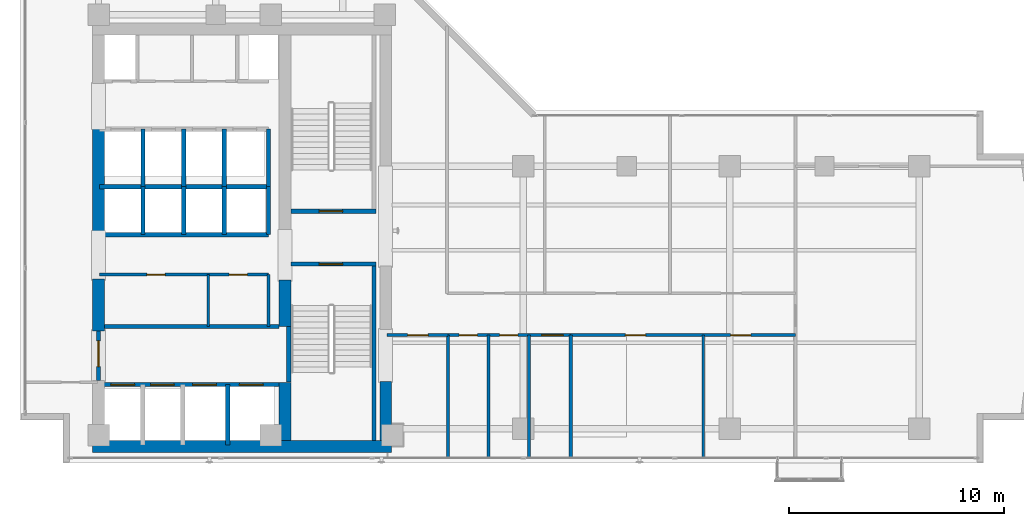
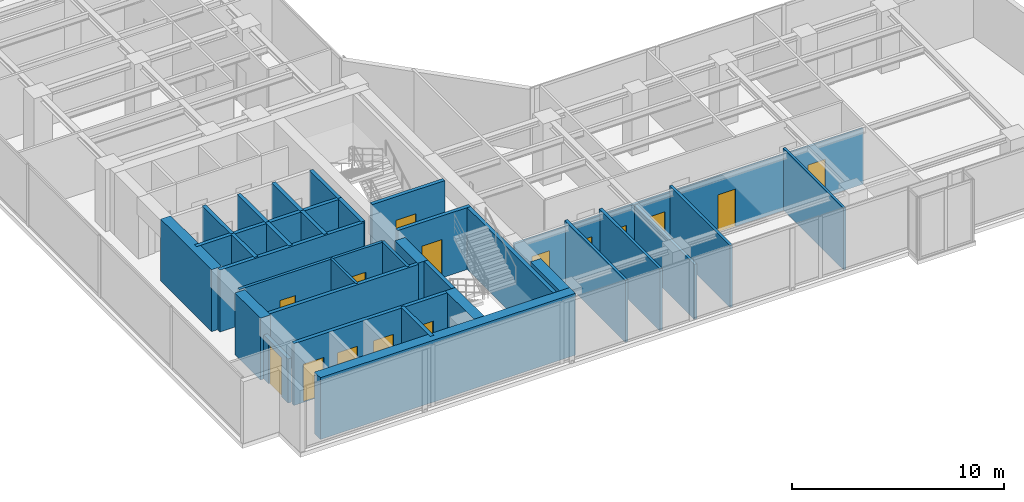
# One storey, part 16 of 23: 35 walls, 15 doors, 15 openings.
"""IFC4 building model written with IfcOpenShell, lengths in metres."""

import ifcopenshell
import ifcopenshell.guid

model = None  # the IFC model being written
_history = None  # IfcOwnerHistory: only IFC2X3 demands one
_inside = {}  # id of a spatial element -> (the spatial element, [elements in it])
_under = {}  # id of a project, library or spatial element -> (it, [spatial elements below it])
_declared = {}  # id of a project -> (the project, [libraries it declares])
_typed = {}  # id of a type object -> (the type object, [elements of that type])
_made_of = {}  # id of a material, layer set ... -> (it, [elements and type objects made of it])


def new_model(schema):
    """Start an empty IFC model of exactly this schema.

    Asked for "IFC4X3", IfcOpenShell would pick the latest addendum, in which some entities
    have other attributes; the version numbers below select the first issue.
    IFC2X3 requires an IfcOwnerHistory on every rooted entity: one is made here for all.
    """
    global model, _history
    if schema == "IFC4X3":
        model = ifcopenshell.file(schema_version=(4, 3, 0, 0))
    else:
        model = ifcopenshell.file(schema=schema)
    _inside.clear()
    _under.clear()
    _declared.clear()
    _typed.clear()
    _made_of.clear()
    _history = None
    if model.schema == "IFC2X3":
        org = make("IfcOrganization", Name="unknown")
        user = make(
            "IfcPersonAndOrganization",
            ThePerson=make("IfcPerson", FamilyName="unknown"),
            TheOrganization=org,
        )
        app = make(
            "IfcApplication",
            ApplicationDeveloper=org,
            Version="unknown",
            ApplicationFullName="unknown",
            ApplicationIdentifier="unknown",
        )
        _history = make(
            "IfcOwnerHistory",
            OwningUser=user,
            OwningApplication=app,
            ChangeAction="ADDED",
            CreationDate=0,
        )
    return model


def make(cls, **values):
    """One entity of the class cls with the attributes given. An attribute that is None is left unset."""
    return model.create_entity(
        cls, **{name: value for name, value in values.items() if value is not None}
    )


def rooted(cls, **values):
    """An entity with a GlobalId (a new one), such as an element, a storey or a relation."""
    return make(cls, GlobalId=ifcopenshell.guid.new(), OwnerHistory=_history, **values)


def si_unit(unit_type, name, prefix=None):
    """IfcSIUnit, for example si_unit("LENGTHUNIT", "METRE", prefix="MILLI")."""
    return make("IfcSIUnit", UnitType=unit_type, Prefix=prefix, Name=name)


def assignment(units):
    """IfcUnitAssignment: the units of a project."""
    return None if units is None else make("IfcUnitAssignment", Units=units)


def point(xyz):
    """IfcCartesianPoint."""
    return None if xyz is None else make("IfcCartesianPoint", Coordinates=xyz)


def direction(xyz):
    """IfcDirection."""
    return None if xyz is None else make("IfcDirection", DirectionRatios=xyz)


def frame(location, z_axis=None, x_axis=None):
    """IfcAxis2Placement3D, a coordinate frame: its origin and axes. An axis left out is left unset."""
    return make(
        "IfcAxis2Placement3D",
        Location=point(location),
        Axis=direction(z_axis),
        RefDirection=direction(x_axis),
    )


def frame_2d(location, x_axis=None):
    """IfcAxis2Placement2D, a coordinate frame in the plane: its origin and x axis."""
    return make(
        "IfcAxis2Placement2D", Location=point(location), RefDirection=direction(x_axis)
    )


def origin():
    """The frame at (0, 0, 0) with its axes left unset."""
    return frame((0.0, 0.0, 0.0))


def place(relative_to, where):
    """IfcLocalPlacement: puts the frame where relative to a parent placement (None: the world)."""
    return make(
        "IfcLocalPlacement", PlacementRelTo=relative_to, RelativePlacement=where
    )


def context(
    kind, dimensions, precision=None, world=None, true_north=None, identifier=None
):
    """IfcGeometricRepresentationContext, for example the 3D "Model" context."""
    return make(
        "IfcGeometricRepresentationContext",
        ContextIdentifier=identifier,
        ContextType=kind,
        CoordinateSpaceDimension=dimensions,
        Precision=precision,
        WorldCoordinateSystem=world,
        TrueNorth=true_north,
    )


def subcontext(parent, identifier, kind, view, scale=None):
    """IfcGeometricRepresentationSubContext, for example "Body" below "Model"."""
    return make(
        "IfcGeometricRepresentationSubContext",
        ContextIdentifier=identifier,
        ContextType=kind,
        ParentContext=parent,
        TargetScale=scale,
        TargetView=view,
    )


def project(units=None, contexts=None):
    """IfcProject with its units and contexts."""
    return rooted(
        "IfcProject",
        Name="project",
        RepresentationContexts=contexts,
        UnitsInContext=assignment(units),
    )


def spatial(cls, under=None, at=None, **own):
    """A site, building, storey or space (cls), placed at a placement, below another one or the project."""
    s = rooted(cls, ObjectPlacement=at, **own)
    if under is not None:
        _under.setdefault(under.id(), (under, []))[1].append(s)
    return s


def profile(cls, at=None, kind="AREA", **sizes):
    """A parametric profile (cls). Its sizes go by their IFC names, for example OverallWidth=200.0."""
    return make(cls, ProfileType=kind, Position=at, **sizes)


def rectangle(**sizes):
    """IfcRectangleProfileDef."""
    return profile("IfcRectangleProfileDef", **sizes)


def extrude(swept, where, along, depth):
    """IfcExtrudedAreaSolid: the profile swept, set in the frame where, extruded along a direction by depth."""
    return make(
        "IfcExtrudedAreaSolid",
        SweptArea=swept,
        Position=where,
        ExtrudedDirection=direction(along),
        Depth=depth,
    )


def shape(context_of_items, identifier, shape_type, items):
    """IfcShapeRepresentation: the items that make up one representation, for example the "Body"."""
    return make(
        "IfcShapeRepresentation",
        ContextOfItems=context_of_items,
        RepresentationIdentifier=identifier,
        RepresentationType=shape_type,
        Items=items,
    )


def material(Name=None, Category=None):
    """IfcMaterial."""
    return make("IfcMaterial", Name=Name, Category=Category)


def layer(
    of_material, thickness, ventilated=None, Name=None, Category=None, Priority=None
):
    """IfcMaterialLayer: one layer of a wall or slab, of a material (None: an air gap)."""
    return make(
        "IfcMaterialLayer",
        Material=of_material,
        LayerThickness=thickness,
        IsVentilated=ventilated,
        Name=Name,
        Category=Category,
        Priority=Priority,
    )


def layer_set(layers, Name=None):
    """IfcMaterialLayerSet."""
    return make("IfcMaterialLayerSet", MaterialLayers=layers, LayerSetName=Name)


def made_of(thing, what):
    """Note that an element or type object is made of a material, layer set ...; save() writes the relation."""
    if what is not None:
        _made_of.setdefault(what.id(), (what, []))[1].append(thing)
    return thing


def type_object(cls, material=None, **own):
    """A type object (cls), such as IfcWallType, which elements share."""
    return made_of(rooted(cls, **own), material)


def element(
    cls,
    number,
    at=None,
    inside=None,
    cuts=None,
    type_object=None,
    material=None,
    context=None,
    identifier="Body",
    shape_type=None,
    held_by="IfcProductDefinitionShape",
    body=None,
    shapes=None,
    **own,
):
    """One element of the class cls, such as IfcWall. Its Tag is "e" and its number.

    at: its placement. inside: the storey or other place that contains it. cuts: it is an
    opening in that element (IfcRelVoidsElement). A single representation is given by context,
    identifier, shape_type and body (its items); several are given by shapes. held_by: the class
    of the entity that holds the representations. save() writes the other relations.
    """
    e = rooted(cls, Tag="e%d" % number, ObjectPlacement=at, **own)
    if body is not None:
        shapes = [shape(context, identifier, shape_type, body)]
    if shapes is not None:
        e.Representation = make(held_by, Representations=shapes)
    if inside is not None:
        _inside.setdefault(inside.id(), (inside, []))[1].append(e)
    if cuts is not None:
        rooted(
            "IfcRelVoidsElement", RelatingBuildingElement=cuts, RelatedOpeningElement=e
        )
    if type_object is not None:
        _typed.setdefault(type_object.id(), (type_object, []))[1].append(e)
    return made_of(e, material)


def fill(opening, filler):
    """IfcRelFillsElement: the door or window that sits in an opening."""
    return rooted(
        "IfcRelFillsElement",
        RelatingOpeningElement=opening,
        RelatedBuildingElement=filler,
    )


def aggregate(whole, parts):
    """IfcRelAggregates: a whole, such as a stair, and the parts it consists of."""
    return rooted("IfcRelAggregates", RelatingObject=whole, RelatedObjects=parts)


def save(model, path):
    """Write the relations noted so far, then the file.

    IfcRelAggregates (storeys below a building ...), IfcRelContainedInSpatialStructure (elements
    in a storey), IfcRelDefinesByType, IfcRelAssociatesMaterial and IfcRelDeclares: one each for
    every whole, place, type object, material and project.
    """
    for whole, parts in _under.values():
        aggregate(whole, parts)
    for where, things in _inside.values():
        rooted(
            "IfcRelContainedInSpatialStructure",
            RelatedElements=things,
            RelatingStructure=where,
        )
    for kind, things in _typed.values():
        rooted("IfcRelDefinesByType", RelatedObjects=things, RelatingType=kind)
    for what, things in _made_of.values():
        rooted("IfcRelAssociatesMaterial", RelatedObjects=things, RelatingMaterial=what)
    for by, libraries in _declared.values():
        rooted("IfcRelDeclares", RelatingContext=by, RelatedDefinitions=libraries)
    model.write(path)


model = new_model("IFC4")

# Units and contexts
model_context = context("Model", 3, precision=1e-05, world=origin(), true_north=direction((0.0, 1.0)))
body_context = subcontext(model_context, "Body", "Model", "MODEL_VIEW")
ifc_project = project(units=[si_unit("LENGTHUNIT", "METRE"), si_unit("AREAUNIT", "SQUARE_METRE"), si_unit("VOLUMEUNIT", "CUBIC_METRE"), si_unit("PLANEANGLEUNIT", "RADIAN"), si_unit("MASSUNIT", "GRAM", prefix="KILO")], contexts=[model_context])

# Site, building, storey
site_placement = place(None, origin())
site = spatial("IfcSite", under=ifc_project, at=site_placement, CompositionType="ELEMENT")
building_placement = place(site_placement, origin())
building = spatial("IfcBuilding", under=site, at=building_placement, Name="Kolvaren Waterfront Exchange", CompositionType="ELEMENT")
storey_placement = place(building_placement, frame((0.0, 0.0, 227.300048828125)))
storey = spatial("IfcBuildingStorey", under=building, at=storey_placement, Name="L58", CompositionType="ELEMENT", Elevation=227.300048828125)

# Wall, opening, door
ifc_material_1 = material(Name="Precast concrete C40/50", Category="concrete")
ifc_layer_1 = layer(ifc_material_1, 0.199951171875, Name="Precast concrete C40/50")
ifc_layer_set_1 = layer_set([ifc_layer_1], Name="Precast concrete C40/50")
wall_type_1 = type_object("IfcWallType", Name="ARC-FIRE-200", PredefinedType="PARTITIONING", material=ifc_layer_set_1)
wall_1_placement = place(storey_placement, frame((16.39990234375, 12.85009765625, 0.0), z_axis=(0.0, 0.0, 1.0), x_axis=(1.0, 0.0, 0.0)))
wall_1 = element("IfcWall", 1, at=wall_1_placement, inside=storey, type_object=wall_type_1, Name="L58 interior wall PW-L58-ST1-THROAT-S", PredefinedType="PARTITIONING", context=body_context, shape_type="SweptSolid", body=[
    extrude(rectangle(XDim=3.960205078125, YDim=0.199951171875, at=frame_2d((1.97998046875, 0.0))), origin(), (0.0, 0.0, 1.0), 3.56005859375),
])
opening_1_placement = place(wall_1_placement, frame((1.3037109375, 0.0, 0.0)))
opening_1 = element("IfcOpeningElement", 2, at=opening_1_placement, cuts=wall_1, Name="Opening FD2", PredefinedType="OPENING", context=body_context, shape_type="SweptSolid", body=[
    extrude(rectangle(XDim=1.10009765625, YDim=2.199951171875, at=frame_2d((0.550048828125, 1.10009765625))), frame((0.0, 0.10986328125, 0.0), z_axis=(0.0, -1.0, 0.0), x_axis=(1.0, 0.0, 0.0)), (0.0, 0.0, 1.0), 0.219970703125),
])
ifc_material_2 = material(Name="Pressed steel smoke-seal fire door", Category="steel")
door_type_1 = type_object("IfcDoorType", Name="ARC-FD-1100", OperationType="NOTDEFINED", PredefinedType="DOOR", material=ifc_material_2)
door_1_placement = place(opening_1_placement, frame((1.10009765625, 0.0, 0.0), z_axis=(0.0, 0.0, 1.0), x_axis=(-1.0, 0.0, 0.0)))
door_1 = element("IfcDoor", 3, at=door_1_placement, inside=storey, type_object=door_type_1, Name="L58 door DR-L58-ST1-IN (FD2)", OperationType="SINGLE_SWING_RIGHT", OverallHeight=2.199951171875, OverallWidth=1.10009765625, PredefinedType="DOOR", context=body_context, shape_type="SweptSolid", body=[
    extrude(rectangle(XDim=1.10009765625, YDim=2.199951171875, at=frame_2d((0.550048828125, 1.10009765625))), frame((0.0, 0.02490234375, 0.0), z_axis=(0.0, -1.0, 0.0), x_axis=(1.0, 0.0, 0.0)), (0.0, 0.0, 1.0), 0.050048828125),
])
fill(opening_1, door_1)

wall_2_placement = place(storey_placement, frame((16.409912109375, 15.300048828125, 0.0), z_axis=(0.0, 0.0, 1.0), x_axis=(1.0, 0.0, 0.0)))
wall_2 = element("IfcWall", 4, at=wall_2_placement, inside=storey, type_object=wall_type_1, Name="L58 interior wall PW-L58-ST2-THROAT-N", PredefinedType="PARTITIONING", context=body_context, shape_type="SweptSolid", body=[
    extrude(rectangle(XDim=3.9501953125, YDim=0.199951171875, at=frame_2d((1.97509765625, 0.0))), origin(), (0.0, 0.0, 1.0), 3.56005859375),
])
opening_2_placement = place(wall_2_placement, frame((1.293701171875, 0.0, 0.0)))
opening_2 = element("IfcOpeningElement", 5, at=opening_2_placement, cuts=wall_2, Name="Opening FD2", PredefinedType="OPENING", context=body_context, shape_type="SweptSolid", body=[
    extrude(rectangle(XDim=1.10009765625, YDim=2.199951171875, at=frame_2d((0.550048828125, 1.10009765625))), frame((0.0, 0.10986328125, 0.0), z_axis=(0.0, -1.0, 0.0), x_axis=(1.0, 0.0, 0.0)), (0.0, 0.0, 1.0), 0.219970703125),
])
door_2_placement = place(opening_2_placement, origin())
door_2 = element("IfcDoor", 6, at=door_2_placement, inside=storey, type_object=door_type_1, Name="L58 door DR-L58-ST2-IN (FD2)", OperationType="SINGLE_SWING_LEFT", OverallHeight=2.199951171875, OverallWidth=1.10009765625, PredefinedType="DOOR", context=body_context, shape_type="SweptSolid", body=[
    extrude(rectangle(XDim=1.10009765625, YDim=2.199951171875, at=frame_2d((0.550048828125, 1.10009765625))), frame((0.0, 0.02490234375, 0.0), z_axis=(0.0, -1.0, 0.0), x_axis=(1.0, 0.0, 0.0)), (0.0, 0.0, 1.0), 0.050048828125),
])
fill(opening_2, door_2)

# Wall
wall_3_placement = place(storey_placement, frame((7.5, 9.949951171875, 0.0), z_axis=(0.0, 0.0, 1.0), x_axis=(1.0, 0.0, 0.0)))
element("IfcWall", 7, at=wall_3_placement, inside=storey, type_object=wall_type_1, Name="L58 interior wall PW-L58-FF-N", PredefinedType="PARTITIONING", context=body_context, shape_type="SweptSolid", body=[
    extrude(rectangle(XDim=8.35009765625, YDim=0.199951171875, at=frame_2d((4.175048828125, 0.0))), origin(), (0.0, 0.0, 1.0), 3.56005859375),
])

# Wall, opening, door
wall_4_placement = place(storey_placement, frame((7.449951171875, 7.449951171875, 0.0), z_axis=(0.0, 0.0, 1.0), x_axis=(0.0, 1.0, 0.0)))
wall_4 = element("IfcWall", 8, at=wall_4_placement, inside=storey, type_object=wall_type_1, Name="L58 interior wall PW-L58-FF-W-DOOR", PredefinedType="PARTITIONING", context=body_context, shape_type="SweptSolid", body=[
    extrude(rectangle(XDim=2.300048828125, YDim=0.199951171875, at=frame_2d((1.14990234375, 0.0))), origin(), (0.0, 0.0, 1.0), 2.5400390625),
])
opening_3_placement = place(wall_4_placement, frame((0.63330078125, 0.0, 0.0)))
opening_3 = element("IfcOpeningElement", 9, at=opening_3_placement, cuts=wall_4, Name="Opening FD3", PredefinedType="OPENING", context=body_context, shape_type="SweptSolid", body=[
    extrude(rectangle(XDim=1.199951171875, YDim=2.25, at=frame_2d((0.60009765625, 1.125))), frame((0.0, 0.10986328125, 0.0), z_axis=(0.0, -1.0, 0.0), x_axis=(1.0, 0.0, 0.0)), (0.0, 0.0, 1.0), 0.219970703125),
])
ifc_material_3 = material(Name="Pressed steel fire door", Category="steel")
door_type_2 = type_object("IfcDoorType", Name="ARC-FD-1200", OperationType="NOTDEFINED", PredefinedType="DOOR", material=ifc_material_3)
door_3_placement = place(opening_3_placement, frame((1.199951171875, 0.0, 0.0), z_axis=(0.0, 0.0, 1.0), x_axis=(-1.0, 0.0, 0.0)))
door_3 = element("IfcDoor", 10, at=door_3_placement, inside=storey, type_object=door_type_2, Name="L58 door DR-L58-FF-OUT (FD3)", OperationType="SINGLE_SWING_RIGHT", OverallHeight=2.25, OverallWidth=1.199951171875, PredefinedType="DOOR", context=body_context, shape_type="SweptSolid", body=[
    extrude(rectangle(XDim=1.199951171875, YDim=2.25, at=frame_2d((0.60009765625, 1.125))), frame((0.0, 0.02490234375, 0.0), z_axis=(0.0, -1.0, 0.0), x_axis=(1.0, 0.0, 0.0)), (0.0, 0.0, 1.0), 0.050048828125),
])
fill(opening_3, door_3)

# Wall
ifc_material_4 = material(Name="Acoustic gypsum steel stud", Category="steel")
ifc_layer_2 = layer(ifc_material_4, 0.125, Name="Acoustic gypsum steel stud")
ifc_layer_set_2 = layer_set([ifc_layer_2], Name="Acoustic gypsum steel stud")
wall_type_2 = type_object("IfcWallType", Name="ARC-PART-125", PredefinedType="PARTITIONING", material=ifc_layer_set_2)
wall_5_placement = place(storey_placement, frame((12.550048828125, 9.949951171875, 0.0), z_axis=(0.0, 0.0, 1.0), x_axis=(0.0, 1.0, 0.0)))
element("IfcWall", 11, at=wall_5_placement, inside=storey, type_object=wall_type_2, Name="L58 interior wall PW-L58-REC-PL-MID", PredefinedType="PARTITIONING", context=body_context, shape_type="SweptSolid", body=[
    extrude(rectangle(XDim=2.41015625, YDim=0.125, at=frame_2d((1.205078125, 0.0))), origin(), (0.0, 0.0, 1.0), 3.56005859375),
])

# Wall, opening, door
wall_6_placement = place(storey_placement, frame((20.85009765625, 9.550048828125, 0.0), z_axis=(0.0, 0.0, 1.0), x_axis=(1.0, 0.0, 0.0)))
wall_6 = element("IfcWall", 12, at=wall_6_placement, inside=storey, type_object=wall_type_2, Name="L58 interior wall PW-L58-SWST3-N", PredefinedType="PARTITIONING", context=body_context, shape_type="SweptSolid", body=[
    extrude(rectangle(XDim=2.849853515625, YDim=0.125, at=frame_2d((1.4248046875, 0.0))), origin(), (0.0, 0.0, 1.0), 3.199951171875),
])
opening_4_placement = place(wall_6_placement, frame((0.971435546875, 0.0, 0.0)))
opening_4 = element("IfcOpeningElement", 13, at=opening_4_placement, cuts=wall_6, Name="Opening D02", PredefinedType="OPENING", context=body_context, shape_type="SweptSolid", body=[
    extrude(rectangle(XDim=0.949951171875, YDim=2.14990234375, at=frame_2d((0.47509765625, 1.074951171875))), frame((0.0, 0.072509765625, 0.0), z_axis=(0.0, -1.0, 0.0), x_axis=(1.0, 0.0, 0.0)), (0.0, 0.0, 1.0), 0.14501953125),
])
ifc_material_5 = material(Name="Oak veneer acoustic timber", Category="wood")
door_type_3 = type_object("IfcDoorType", Name="ARC-DR-950", OperationType="NOTDEFINED", PredefinedType="DOOR", material=ifc_material_5)
door_4_placement = place(opening_4_placement, origin())
door_4 = element("IfcDoor", 14, at=door_4_placement, inside=storey, type_object=door_type_3, Name="L58 door DR-L58-SWST3-D (D02)", OperationType="SINGLE_SWING_RIGHT", OverallHeight=2.14990234375, OverallWidth=0.949951171875, PredefinedType="DOOR", context=body_context, shape_type="SweptSolid", body=[
    extrude(rectangle(XDim=0.949951171875, YDim=2.14990234375, at=frame_2d((0.47509765625, 1.074951171875))), frame((0.0, 0.02490234375, 0.0), z_axis=(0.0, -1.0, 0.0), x_axis=(1.0, 0.0, 0.0)), (0.0, 0.0, 1.0), 0.050048828125),
])
fill(opening_4, door_4)

# Wall, openings, doors
wall_7_placement = place(storey_placement, frame((29.39990234375, 9.550048828125, 0.0), z_axis=(0.0, 0.0, 1.0), x_axis=(1.0, 0.0, 0.0)))
wall_7 = element("IfcWall", 15, at=wall_7_placement, inside=storey, type_object=wall_type_2, Name="L58 interior wall PW-L58-ES-CORR", PredefinedType="PARTITIONING", context=body_context, shape_type="SweptSolid", body=[
    extrude(rectangle(XDim=10.4501953125, YDim=0.125, at=frame_2d((5.22509765625, 0.0))), origin(), (0.0, 0.0, 1.0), 3.199951171875),
])
opening_5_placement = place(wall_7_placement, frame((2.538818359375, 0.0, 0.0)))
opening_5 = element("IfcOpeningElement", 16, at=opening_5_placement, cuts=wall_7, Name="Opening D02", PredefinedType="OPENING", context=body_context, shape_type="SweptSolid", body=[
    extrude(rectangle(XDim=0.949951171875, YDim=2.14990234375, at=frame_2d((0.47509765625, 1.074951171875))), frame((0.0, 0.072509765625, 0.0), z_axis=(0.0, -1.0, 0.0), x_axis=(1.0, 0.0, 0.0)), (0.0, 0.0, 1.0), 0.14501953125),
])
opening_6_placement = place(wall_7_placement, frame((7.431884765625, 0.0, 0.0)))
opening_6 = element("IfcOpeningElement", 17, at=opening_6_placement, cuts=wall_7, Name="Opening D02", PredefinedType="OPENING", context=body_context, shape_type="SweptSolid", body=[
    extrude(rectangle(XDim=0.949951171875, YDim=2.14990234375, at=frame_2d((0.47509765625, 1.074951171875))), frame((0.0, 0.072509765625, 0.0), z_axis=(0.0, -1.0, 0.0), x_axis=(1.0, 0.0, 0.0)), (0.0, 0.0, 1.0), 0.14501953125),
])
door_5_placement = place(opening_5_placement, origin())
door_5 = element("IfcDoor", 18, at=door_5_placement, inside=storey, type_object=door_type_3, Name="L58 door DR-L58-ES-D-1 (D02)", OperationType="SINGLE_SWING_LEFT", OverallHeight=2.14990234375, OverallWidth=0.949951171875, PredefinedType="DOOR", context=body_context, shape_type="SweptSolid", body=[
    extrude(rectangle(XDim=0.949951171875, YDim=2.14990234375, at=frame_2d((0.47509765625, 1.074951171875))), frame((0.0, 0.02490234375, 0.0), z_axis=(0.0, -1.0, 0.0), x_axis=(1.0, 0.0, 0.0)), (0.0, 0.0, 1.0), 0.050048828125),
])
fill(opening_5, door_5)
door_6_placement = place(opening_6_placement, origin())
door_6 = element("IfcDoor", 19, at=door_6_placement, inside=storey, type_object=door_type_3, Name="L58 door DR-L58-ES-D-2 (D02)", OperationType="SINGLE_SWING_RIGHT", OverallHeight=2.14990234375, OverallWidth=0.949951171875, PredefinedType="DOOR", context=body_context, shape_type="SweptSolid", body=[
    extrude(rectangle(XDim=0.949951171875, YDim=2.14990234375, at=frame_2d((0.47509765625, 1.074951171875))), frame((0.0, 0.02490234375, 0.0), z_axis=(0.0, -1.0, 0.0), x_axis=(1.0, 0.0, 0.0)), (0.0, 0.0, 1.0), 0.050048828125),
])
fill(opening_6, door_6)

# Wall
wall_8_placement = place(storey_placement, frame((35.570068359375, 3.840087890625, 0.0), z_axis=(0.0, 0.0, 1.0), x_axis=(0.0, 1.0, 0.0)))
element("IfcWall", 20, at=wall_8_placement, inside=storey, type_object=wall_type_2, Name="L58 interior wall PW-L58-ES-DIV-1", PredefinedType="PARTITIONING", context=body_context, shape_type="SweptSolid", body=[
    extrude(rectangle(XDim=5.7099609375, YDim=0.125, at=frame_2d((2.85498046875, 0.0))), origin(), (0.0, 0.0, 1.0), 3.56005859375),
])

# Wall, openings, doors
ifc_material_6 = material(Name="Gypsum fireboard steel stud", Category="steel")
ifc_layer_3 = layer(ifc_material_6, 0.14990234375, Name="Gypsum fireboard steel stud")
ifc_layer_set_3 = layer_set([ifc_layer_3], Name="Gypsum fireboard steel stud")
wall_type_3 = type_object("IfcWallType", Name="ARC-PART-150", PredefinedType="PARTITIONING", material=ifc_layer_set_3)
wall_9_placement = place(storey_placement, frame((7.5, 12.360107421875, 0.0), z_axis=(0.0, 0.0, 1.0), x_axis=(1.0, 0.0, 0.0)))
wall_9 = element("IfcWall", 21, at=wall_9_placement, inside=storey, type_object=wall_type_3, Name="L58 interior wall PW-L58-REC-PL-N", PredefinedType="PARTITIONING", context=body_context, shape_type="SweptSolid", body=[
    extrude(rectangle(XDim=7.85009765625, YDim=0.14990234375, at=frame_2d((3.925048828125, 0.0))), origin(), (0.0, 0.0, 1.0), 3.56005859375),
])
opening_7_placement = place(wall_9_placement, frame((2.202392578125, 0.0, 0.0)))
opening_7 = element("IfcOpeningElement", 22, at=opening_7_placement, cuts=wall_9, Name="Opening D01", PredefinedType="OPENING", context=body_context, shape_type="SweptSolid", body=[
    extrude(rectangle(XDim=0.85009765625, YDim=2.14990234375, at=frame_2d((0.425048828125, 1.074951171875))), frame((0.0, 0.0849609375, 0.0), z_axis=(0.0, -1.0, 0.0), x_axis=(1.0, 0.0, 0.0)), (0.0, 0.0, 1.0), 0.169921875),
])
opening_8_placement = place(wall_9_placement, frame((6.02490234375, 0.0, 0.0)))
opening_8 = element("IfcOpeningElement", 23, at=opening_8_placement, cuts=wall_9, Name="Opening D01", PredefinedType="OPENING", context=body_context, shape_type="SweptSolid", body=[
    extrude(rectangle(XDim=0.85009765625, YDim=2.14990234375, at=frame_2d((0.425048828125, 1.074951171875))), frame((0.0, 0.0849609375, 0.0), z_axis=(0.0, -1.0, 0.0), x_axis=(1.0, 0.0, 0.0)), (0.0, 0.0, 1.0), 0.169921875),
])
ifc_material_7 = material(Name="Oak veneer timber leaf", Category="wood")
door_type_4 = type_object("IfcDoorType", Name="ARC-DR-900", OperationType="NOTDEFINED", PredefinedType="DOOR", material=ifc_material_7)
door_7_placement = place(opening_7_placement, origin())
door_7 = element("IfcDoor", 24, at=door_7_placement, inside=storey, type_object=door_type_4, Name="L58 door DR-L58-REC-PL-D1 (D01)", OperationType="SINGLE_SWING_LEFT", OverallHeight=2.14990234375, OverallWidth=0.85009765625, PredefinedType="DOOR", context=body_context, shape_type="SweptSolid", body=[
    extrude(rectangle(XDim=0.85009765625, YDim=2.14990234375, at=frame_2d((0.425048828125, 1.074951171875))), frame((0.0, 0.02490234375, 0.0), z_axis=(0.0, -1.0, 0.0), x_axis=(1.0, 0.0, 0.0)), (0.0, 0.0, 1.0), 0.050048828125),
])
fill(opening_7, door_7)
door_8_placement = place(opening_8_placement, origin())
door_8 = element("IfcDoor", 25, at=door_8_placement, inside=storey, type_object=door_type_4, Name="L58 door DR-L58-REC-PL-D2 (D01)", OperationType="SINGLE_SWING_RIGHT", OverallHeight=2.14990234375, OverallWidth=0.85009765625, PredefinedType="DOOR", context=body_context, shape_type="SweptSolid", body=[
    extrude(rectangle(XDim=0.85009765625, YDim=2.14990234375, at=frame_2d((0.425048828125, 1.074951171875))), frame((0.0, 0.02490234375, 0.0), z_axis=(0.0, -1.0, 0.0), x_axis=(1.0, 0.0, 0.0)), (0.0, 0.0, 1.0), 0.050048828125),
])
fill(opening_8, door_8)

# Walls
wall_10_placement = place(storey_placement, frame((15.35009765625, 9.949951171875, 0.0), z_axis=(0.0, 0.0, 1.0), x_axis=(0.0, 1.0, 0.0)))
element("IfcWall", 26, at=wall_10_placement, inside=storey, type_object=wall_type_3, Name="L58 interior wall PW-L58-REC-PL-E", PredefinedType="PARTITIONING", context=body_context, shape_type="SweptSolid", body=[
    extrude(rectangle(XDim=2.41015625, YDim=0.14990234375, at=frame_2d((1.205078125, 0.0))), origin(), (0.0, 0.0, 1.0), 3.56005859375),
])
ifc_material_8 = material(Name="Moisture-resistant gypsum stud")
ifc_layer_4 = layer(ifc_material_8, 0.14990234375, Name="Moisture-resistant gypsum stud")
ifc_layer_set_4 = layer_set([ifc_layer_4], Name="Moisture-resistant gypsum stud")
wall_type_4 = type_object("IfcWallType", Name="ARC-PLUMB-150", PredefinedType="PLUMBINGWALL", material=ifc_layer_set_4)
wall_11_placement = place(storey_placement, frame((23.699951171875, 3.840087890625, 0.0), z_axis=(0.0, 0.0, 1.0), x_axis=(0.0, 1.0, 0.0)))
element("IfcWall", 27, at=wall_11_placement, inside=storey, type_object=wall_type_4, Name="L58 interior wall PW-L58-WC-0", PredefinedType="PLUMBINGWALL", context=body_context, shape_type="SweptSolid", body=[
    extrude(rectangle(XDim=5.7099609375, YDim=0.14990234375, at=frame_2d((2.85498046875, 0.0))), origin(), (0.0, 0.0, 1.0), 3.56005859375),
])

# Wall, openings, doors
wall_12_placement = place(storey_placement, frame((23.699951171875, 9.550048828125, 0.0), z_axis=(0.0, 0.0, 1.0), x_axis=(1.0, 0.0, 0.0)))
wall_12 = element("IfcWall", 28, at=wall_12_placement, inside=storey, type_object=wall_type_4, Name="L58 interior wall PW-L58-WC-N", PredefinedType="PLUMBINGWALL", context=body_context, shape_type="SweptSolid", body=[
    extrude(rectangle(XDim=5.699951171875, YDim=0.14990234375, at=frame_2d((2.85009765625, 0.0))), origin(), (0.0, 0.0, 1.0), 3.199951171875),
])
opening_9_placement = place(wall_12_placement, frame((0.514892578125, 0.0, 0.0)))
opening_9 = element("IfcOpeningElement", 29, at=opening_9_placement, cuts=wall_12, Name="Opening D01", PredefinedType="OPENING", context=body_context, shape_type="SweptSolid", body=[
    extrude(rectangle(XDim=0.85009765625, YDim=2.14990234375, at=frame_2d((0.425048828125, 1.074951171875))), frame((0.0, 0.0849609375, 0.0), z_axis=(0.0, -1.0, 0.0), x_axis=(1.0, 0.0, 0.0)), (0.0, 0.0, 1.0), 0.169921875),
])
opening_10_placement = place(wall_12_placement, frame((2.39501953125, 0.0, 0.0)))
opening_10 = element("IfcOpeningElement", 30, at=opening_10_placement, cuts=wall_12, Name="Opening D01", PredefinedType="OPENING", context=body_context, shape_type="SweptSolid", body=[
    extrude(rectangle(XDim=0.85009765625, YDim=2.14990234375, at=frame_2d((0.425048828125, 1.074951171875))), frame((0.0, 0.0849609375, 0.0), z_axis=(0.0, -1.0, 0.0), x_axis=(1.0, 0.0, 0.0)), (0.0, 0.0, 1.0), 0.169921875),
])
opening_11_placement = place(wall_12_placement, frame((4.35009765625, 0.0, 0.0)))
opening_11 = element("IfcOpeningElement", 31, at=opening_11_placement, cuts=wall_12, Name="Opening D03", PredefinedType="OPENING", context=body_context, shape_type="SweptSolid", body=[
    extrude(rectangle(XDim=1.0, YDim=2.199951171875, at=frame_2d((0.5, 1.10009765625))), frame((0.0, 0.0849609375, 0.0), z_axis=(0.0, -1.0, 0.0), x_axis=(1.0, 0.0, 0.0)), (0.0, 0.0, 1.0), 0.169921875),
])
ifc_material_9 = material(Name="Oak veneer accessible timber", Category="wood")
door_type_5 = type_object("IfcDoorType", Name="ARC-DR-1000", OperationType="NOTDEFINED", PredefinedType="DOOR", material=ifc_material_9)
door_9_placement = place(opening_11_placement, origin())
door_9 = element("IfcDoor", 32, at=door_9_placement, inside=storey, type_object=door_type_5, Name="L58 door DR-L58-WCA-D (D03)", OperationType="SINGLE_SWING_RIGHT", OverallHeight=2.199951171875, OverallWidth=1.0, PredefinedType="DOOR", context=body_context, shape_type="SweptSolid", body=[
    extrude(rectangle(XDim=1.0, YDim=2.199951171875, at=frame_2d((0.5, 1.10009765625))), frame((0.0, 0.02490234375, 0.0), z_axis=(0.0, -1.0, 0.0), x_axis=(1.0, 0.0, 0.0)), (0.0, 0.0, 1.0), 0.050048828125),
])
fill(opening_11, door_9)
door_10_placement = place(opening_9_placement, origin())
door_10 = element("IfcDoor", 33, at=door_10_placement, inside=storey, type_object=door_type_4, Name="L58 door DR-L58-WCM-D (D01)", OperationType="SINGLE_SWING_RIGHT", OverallHeight=2.14990234375, OverallWidth=0.85009765625, PredefinedType="DOOR", context=body_context, shape_type="SweptSolid", body=[
    extrude(rectangle(XDim=0.85009765625, YDim=2.14990234375, at=frame_2d((0.425048828125, 1.074951171875))), frame((0.0, 0.02490234375, 0.0), z_axis=(0.0, -1.0, 0.0), x_axis=(1.0, 0.0, 0.0)), (0.0, 0.0, 1.0), 0.050048828125),
])
fill(opening_9, door_10)
door_11_placement = place(opening_10_placement, origin())
door_11 = element("IfcDoor", 34, at=door_11_placement, inside=storey, type_object=door_type_4, Name="L58 door DR-L58-WCF-D (D01)", OperationType="SINGLE_SWING_LEFT", OverallHeight=2.14990234375, OverallWidth=0.85009765625, PredefinedType="DOOR", context=body_context, shape_type="SweptSolid", body=[
    extrude(rectangle(XDim=0.85009765625, YDim=2.14990234375, at=frame_2d((0.425048828125, 1.074951171875))), frame((0.0, 0.02490234375, 0.0), z_axis=(0.0, -1.0, 0.0), x_axis=(1.0, 0.0, 0.0)), (0.0, 0.0, 1.0), 0.050048828125),
])
fill(opening_10, door_11)

# Walls
wall_13_placement = place(storey_placement, frame((25.580078125, 3.840087890625, 0.0), z_axis=(0.0, 0.0, 1.0), x_axis=(0.0, 1.0, 0.0)))
element("IfcWall", 35, at=wall_13_placement, inside=storey, type_object=wall_type_4, Name="L58 interior wall PW-L58-WC-1", PredefinedType="PLUMBINGWALL", context=body_context, shape_type="SweptSolid", body=[
    extrude(rectangle(XDim=5.7099609375, YDim=0.14990234375, at=frame_2d((2.85498046875, 0.0))), origin(), (0.0, 0.0, 1.0), 3.56005859375),
])
wall_14_placement = place(storey_placement, frame((27.4599609375, 3.840087890625, 0.0), z_axis=(0.0, 0.0, 1.0), x_axis=(0.0, 1.0, 0.0)))
element("IfcWall", 36, at=wall_14_placement, inside=storey, type_object=wall_type_4, Name="L58 interior wall PW-L58-WC-2", PredefinedType="PLUMBINGWALL", context=body_context, shape_type="SweptSolid", body=[
    extrude(rectangle(XDim=5.7099609375, YDim=0.14990234375, at=frame_2d((2.85498046875, 0.0))), origin(), (0.0, 0.0, 1.0), 3.159912109375),
])
wall_15_placement = place(storey_placement, frame((29.39990234375, 3.840087890625, 0.0), z_axis=(0.0, 0.0, 1.0), x_axis=(0.0, 1.0, 0.0)))
element("IfcWall", 37, at=wall_15_placement, inside=storey, type_object=wall_type_4, Name="L58 interior wall PW-L58-WC-3", PredefinedType="PLUMBINGWALL", context=body_context, shape_type="SweptSolid", body=[
    extrude(rectangle(XDim=5.7099609375, YDim=0.14990234375, at=frame_2d((2.85498046875, 0.0))), origin(), (0.0, 0.0, 1.0), 3.56005859375),
])
ifc_material_10 = material(Name="Concrete C40/50", Category="concrete")
ifc_layer_5 = layer(ifc_material_10, 0.199951171875, Name="Concrete C40/50")
ifc_layer_set_5 = layer_set([ifc_layer_5], Name="Concrete C40/50")
wall_type_5 = type_object("IfcWallType", Name="ARC-SHAFT-200", PredefinedType="PARTITIONING", material=ifc_layer_set_5)
wall_16_placement = place(storey_placement, frame((16.300048828125, 7.360107421875, 0.0), z_axis=(0.0, 0.0, 1.0), x_axis=(0.0, 1.0, 0.0)))
element("IfcWall", 38, at=wall_16_placement, inside=storey, type_object=wall_type_5, Name="L58 structural stairwell wall PW-L58-ST1-W", PredefinedType="SHEAR", context=body_context, shape_type="SweptSolid", body=[
    extrude(rectangle(XDim=2.579833984375, YDim=0.199951171875, at=frame_2d((1.2900390625, 0.0))), origin(), (0.0, 0.0, 1.0), 3.56005859375),
])
wall_17_placement = place(storey_placement, frame((20.260009765625, 4.659912109375, 0.0), z_axis=(0.0, 0.0, 1.0), x_axis=(0.0, 1.0, 0.0)))
element("IfcWall", 39, at=wall_17_placement, inside=storey, type_object=wall_type_5, Name="L58 structural stairwell wall PW-L58-ST1-E", PredefinedType="SHEAR", context=body_context, shape_type="SweptSolid", body=[
    extrude(rectangle(XDim=8.090087890625, YDim=0.199951171875, at=frame_2d((4.044921875, 0.0))), origin(), (0.0, 0.0, 1.0), 3.56005859375),
])

# Wall, openings, doors
wall_18_placement = place(storey_placement, frame((7.5, 7.25, 0.0), z_axis=(0.0, 0.0, 1.0), x_axis=(1.0, 0.0, 0.0)))
wall_18 = element("IfcWall", 40, at=wall_18_placement, inside=storey, type_object=wall_type_5, Name="L58 interior wall PW-L58-FF-S", PredefinedType="PARTITIONING", context=body_context, shape_type="SweptSolid", body=[
    extrude(rectangle(XDim=8.35009765625, YDim=0.199951171875, at=frame_2d((4.175048828125, 0.0))), origin(), (0.0, 0.0, 1.0), 3.56005859375),
])
opening_12_placement = place(wall_18_placement, frame((0.530029296875, 0.0, 0.0)))
opening_12 = element("IfcOpeningElement", 41, at=opening_12_placement, cuts=wall_18, Name="Opening LD1", PredefinedType="OPENING", context=body_context, shape_type="SweptSolid", body=[
    extrude(rectangle(XDim=1.10009765625, YDim=2.199951171875, at=frame_2d((0.550048828125, 1.10009765625))), frame((0.0, 0.10986328125, 0.0), z_axis=(0.0, -1.0, 0.0), x_axis=(1.0, 0.0, 0.0)), (0.0, 0.0, 1.0), 0.219970703125),
])
opening_13_placement = place(wall_18_placement, frame((2.3701171875, 0.0, 0.0)))
opening_13 = element("IfcOpeningElement", 42, at=opening_13_placement, cuts=wall_18, Name="Opening LD1", PredefinedType="OPENING", context=body_context, shape_type="SweptSolid", body=[
    extrude(rectangle(XDim=1.10009765625, YDim=2.199951171875, at=frame_2d((0.550048828125, 1.10009765625))), frame((0.0, 0.10986328125, 0.0), z_axis=(0.0, -1.0, 0.0), x_axis=(1.0, 0.0, 0.0)), (0.0, 0.0, 1.0), 0.219970703125),
])
opening_14_placement = place(wall_18_placement, frame((4.330078125, 0.0, 0.0)))
opening_14 = element("IfcOpeningElement", 43, at=opening_14_placement, cuts=wall_18, Name="Opening LD1", PredefinedType="OPENING", context=body_context, shape_type="SweptSolid", body=[
    extrude(rectangle(XDim=1.10009765625, YDim=2.199951171875, at=frame_2d((0.550048828125, 1.10009765625))), frame((0.0, 0.10986328125, 0.0), z_axis=(0.0, -1.0, 0.0), x_axis=(1.0, 0.0, 0.0)), (0.0, 0.0, 1.0), 0.219970703125),
])
opening_15_placement = place(wall_18_placement, frame((6.5, 0.0, 0.0)))
opening_15 = element("IfcOpeningElement", 44, at=opening_15_placement, cuts=wall_18, Name="Opening LD1", PredefinedType="OPENING", context=body_context, shape_type="SweptSolid", body=[
    extrude(rectangle(XDim=1.10009765625, YDim=2.199951171875, at=frame_2d((0.550048828125, 1.10009765625))), frame((0.0, 0.10986328125, 0.0), z_axis=(0.0, -1.0, 0.0), x_axis=(1.0, 0.0, 0.0)), (0.0, 0.0, 1.0), 0.219970703125),
])
ifc_material_11 = material(Name="Stainless steel sliding landing door", Category="steel")
door_type_6 = type_object("IfcDoorType", Name="ARC-LD-FF", OperationType="SLIDING_TO_LEFT", PredefinedType="DOOR", material=ifc_material_11)
door_12_placement = place(opening_12_placement, origin())
door_12 = element("IfcDoor", 45, at=door_12_placement, inside=storey, type_object=door_type_6, Name="L58 door LD-L58-FFL1 (LD1)", OperationType="SLIDING_TO_LEFT", OverallHeight=2.199951171875, OverallWidth=1.10009765625, PredefinedType="DOOR", context=body_context, shape_type="SweptSolid", body=[
    extrude(rectangle(XDim=1.10009765625, YDim=2.199951171875, at=frame_2d((0.550048828125, 1.10009765625))), frame((0.0, 0.02490234375, 0.0), z_axis=(0.0, -1.0, 0.0), x_axis=(1.0, 0.0, 0.0)), (0.0, 0.0, 1.0), 0.050048828125),
])
fill(opening_12, door_12)
door_13_placement = place(opening_13_placement, origin())
door_13 = element("IfcDoor", 46, at=door_13_placement, inside=storey, type_object=door_type_6, Name="L58 door LD-L58-FFL2 (LD1)", OperationType="SLIDING_TO_LEFT", OverallHeight=2.199951171875, OverallWidth=1.10009765625, PredefinedType="DOOR", context=body_context, shape_type="SweptSolid", body=[
    extrude(rectangle(XDim=1.10009765625, YDim=2.199951171875, at=frame_2d((0.550048828125, 1.10009765625))), frame((0.0, 0.02490234375, 0.0), z_axis=(0.0, -1.0, 0.0), x_axis=(1.0, 0.0, 0.0)), (0.0, 0.0, 1.0), 0.050048828125),
])
fill(opening_13, door_13)
door_14_placement = place(opening_14_placement, origin())
door_14 = element("IfcDoor", 47, at=door_14_placement, inside=storey, type_object=door_type_6, Name="L58 door LD-L58-GL1 (LD1)", OperationType="SLIDING_TO_LEFT", OverallHeight=2.199951171875, OverallWidth=1.10009765625, PredefinedType="DOOR", context=body_context, shape_type="SweptSolid", body=[
    extrude(rectangle(XDim=1.10009765625, YDim=2.199951171875, at=frame_2d((0.550048828125, 1.10009765625))), frame((0.0, 0.02490234375, 0.0), z_axis=(0.0, -1.0, 0.0), x_axis=(1.0, 0.0, 0.0)), (0.0, 0.0, 1.0), 0.050048828125),
])
fill(opening_14, door_14)
door_15_placement = place(opening_15_placement, origin())
door_15 = element("IfcDoor", 48, at=door_15_placement, inside=storey, type_object=door_type_6, Name="L58 door LD-L58-GL2 (LD1)", OperationType="SLIDING_TO_LEFT", OverallHeight=2.199951171875, OverallWidth=1.10009765625, PredefinedType="DOOR", context=body_context, shape_type="SweptSolid", body=[
    extrude(rectangle(XDim=1.10009765625, YDim=2.199951171875, at=frame_2d((0.550048828125, 1.10009765625))), frame((0.0, 0.02490234375, 0.0), z_axis=(0.0, -1.0, 0.0), x_axis=(1.0, 0.0, 0.0)), (0.0, 0.0, 1.0), 0.050048828125),
])
fill(opening_15, door_15)

# Walls
wall_19_placement = place(storey_placement, frame((13.4599609375, 4.449951171875, 0.0), z_axis=(0.0, 0.0, 1.0), x_axis=(0.0, 1.0, 0.0)))
element("IfcWall", 49, at=wall_19_placement, inside=storey, type_object=wall_type_5, Name="L58 interior wall PW-L58-SH1-DIV-134", PredefinedType="PARTITIONING", context=body_context, shape_type="SweptSolid", body=[
    extrude(rectangle(XDim=2.800048828125, YDim=0.199951171875, at=frame_2d((1.39990234375, 0.0))), origin(), (0.0, 0.0, 1.0), 3.56005859375),
])
for number, where, z_axis, x_axis, name in (
    (50, (7.5, 14.219970703125, 0.0), (0.0, 0.0, 1.0), (1.0, 0.0, 0.0), "L58 interior wall PW-L58-PM-S"),
    (51, (7.5, 16.449951171875, 0.0), (0.0, 0.0, 1.0), (1.0, 0.0, 0.0), "L58 interior wall PW-L58-PM-N"),
):
    element("IfcWall", number, at=place(storey_placement, frame(where, z_axis=z_axis, x_axis=x_axis)), inside=storey, type_object=wall_type_5, Name=name, PredefinedType="PARTITIONING", context=body_context, shape_type="SweptSolid", body=[
        extrude(rectangle(XDim=7.85009765625, YDim=0.199951171875, at=frame_2d((3.925048828125, 0.0))), origin(), (0.0, 0.0, 1.0), 3.56005859375),
    ])
for number, where, z_axis, x_axis, name in (
    (52, (15.35009765625, 14.219970703125, 0.0), (0.0, 0.0, 1.0), (0.0, 1.0, 0.0), "L58 interior wall PW-L58-PM-E"),
    (53, (9.52001953125, 14.219970703125, 0.0), (0.0, 0.0, 1.0), (0.0, 1.0, 0.0), "L58 interior wall PW-L58-SH3-DIV-95"),
    (54, (11.409912109375, 14.219970703125, 0.0), (0.0, 0.0, 1.0), (0.0, 1.0, 0.0), "L58 interior wall PW-L58-SH3-DIV-114"),
    (55, (13.300048828125, 14.219970703125, 0.0), (0.0, 0.0, 1.0), (0.0, 1.0, 0.0), "L58 interior wall PW-L58-SH3-DIV-133"),
):
    element("IfcWall", number, at=place(storey_placement, frame(where, z_axis=z_axis, x_axis=x_axis)), inside=storey, type_object=wall_type_5, Name=name, PredefinedType="PARTITIONING", context=body_context, shape_type="SweptSolid", body=[
        extrude(rectangle(XDim=2.22998046875, YDim=0.199951171875, at=frame_2d((1.114990234375, 0.0))), origin(), (0.0, 0.0, 1.0), 3.56005859375),
    ])
for number, where, z_axis, x_axis, name in (
    (56, (15.35009765625, 16.449951171875, 0.0), (0.0, 0.0, 1.0), (0.0, 1.0, 0.0), "L58 interior wall PW-L58-PH-E"),
    (57, (9.52001953125, 16.449951171875, 0.0), (0.0, 0.0, 1.0), (0.0, 1.0, 0.0), "L58 interior wall PW-L58-SH4-DIV-95"),
    (58, (11.409912109375, 16.449951171875, 0.0), (0.0, 0.0, 1.0), (0.0, 1.0, 0.0), "L58 interior wall PW-L58-SH4-DIV-114"),
    (59, (13.300048828125, 16.449951171875, 0.0), (0.0, 0.0, 1.0), (0.0, 1.0, 0.0), "L58 interior wall PW-L58-SH4-DIV-133"),
):
    element("IfcWall", number, at=place(storey_placement, frame(where, z_axis=z_axis, x_axis=x_axis)), inside=storey, type_object=wall_type_5, Name=name, PredefinedType="PARTITIONING", context=body_context, shape_type="SweptSolid", body=[
        extrude(rectangle(XDim=2.670166015625, YDim=0.199951171875, at=frame_2d((1.3349609375, 0.0))), origin(), (0.0, 0.0, 1.0), 3.56005859375),
    ])
ifc_material_12 = material(Name="Concrete C50/60", Category="concrete")
ifc_layer_6 = layer(ifc_material_12, 0.550048828125, Name="Concrete C50/60")
ifc_layer_set_6 = layer_set([ifc_layer_6], Name="Concrete C50/60")
wall_type_6 = type_object("IfcWallType", Name="STR-CWALL-550", PredefinedType="SHEAR", material=ifc_layer_set_6)
wall_20_placement = place(storey_placement, frame((7.175048828125, 4.375, 0.0), z_axis=(0.0, 0.0, 1.0), x_axis=(1.0, 0.0, 0.0)))
element("IfcWall", 60, at=wall_20_placement, inside=storey, type_object=wall_type_6, Name="L58 rear-core shear wall S", PredefinedType="SHEAR", context=body_context, shape_type="SweptSolid", body=[
    extrude(rectangle(XDim=13.89990234375, YDim=0.550048828125, at=frame_2d((6.949951171875, 0.0))), origin(), (0.0, 0.0, 1.0), 3.56005859375),
])
wall_21_placement = place(storey_placement, frame((7.449951171875, 9.75, 0.0), z_axis=(0.0, 0.0, 1.0), x_axis=(0.0, 1.0, 0.0)))
element("IfcWall", 61, at=wall_21_placement, inside=storey, type_object=wall_type_6, Name="L58 rear-core shear wall W2A", PredefinedType="SHEAR", context=body_context, shape_type="SweptSolid", body=[
    extrude(rectangle(XDim=2.39990234375, YDim=0.550048828125, at=frame_2d((1.199951171875, 0.0))), origin(), (0.0, 0.0, 1.0), 3.56005859375),
])
wall_22_placement = place(storey_placement, frame((7.449951171875, 14.35009765625, 0.0), z_axis=(0.0, 0.0, 1.0), x_axis=(0.0, 1.0, 0.0)))
element("IfcWall", 62, at=wall_22_placement, inside=storey, type_object=wall_type_6, Name="L58 rear-core shear wall W2B", PredefinedType="SHEAR", context=body_context, shape_type="SweptSolid", body=[
    extrude(rectangle(XDim=4.809814453125, YDim=0.550048828125, at=frame_2d((2.40478515625, 0.0))), origin(), (0.0, 0.0, 1.0), 3.56005859375),
])
wall_23_placement = place(storey_placement, frame((20.800048828125, 4.64990234375, 0.0), z_axis=(0.0, 0.0, 1.0), x_axis=(0.0, 1.0, 0.0)))
element("IfcWall", 63, at=wall_23_placement, inside=storey, type_object=wall_type_6, Name="L58 rear-core shear wall E1", PredefinedType="SHEAR", context=body_context, shape_type="SweptSolid", body=[
    extrude(rectangle(XDim=2.75, YDim=0.550048828125, at=frame_2d((1.375, 0.0))), origin(), (0.0, 0.0, 1.0), 3.56005859375),
])
wall_24_placement = place(storey_placement, frame((16.125, 4.64990234375, 0.0), z_axis=(0.0, 0.0, 1.0), x_axis=(0.0, 1.0, 0.0)))
element("IfcWall", 64, at=wall_24_placement, inside=storey, type_object=wall_type_6, Name="L58 rear-core shear wall M1", PredefinedType="SHEAR", context=body_context, shape_type="SweptSolid", body=[
    extrude(rectangle(XDim=2.7001953125, YDim=0.550048828125, at=frame_2d((1.35009765625, 0.0))), origin(), (0.0, 0.0, 1.0), 3.56005859375),
])
wall_25_placement = place(storey_placement, frame((16.125, 9.949951171875, 0.0), z_axis=(0.0, 0.0, 1.0), x_axis=(0.0, 1.0, 0.0)))
element("IfcWall", 65, at=wall_25_placement, inside=storey, type_object=wall_type_6, Name="L58 rear-core shear wall M2", PredefinedType="SHEAR", context=body_context, shape_type="SweptSolid", body=[
    extrude(rectangle(XDim=2.150146484375, YDim=0.550048828125, at=frame_2d((1.0751953125, 0.0))), origin(), (0.0, 0.0, 1.0), 3.56005859375),
])

save(model, "model.ifc")
